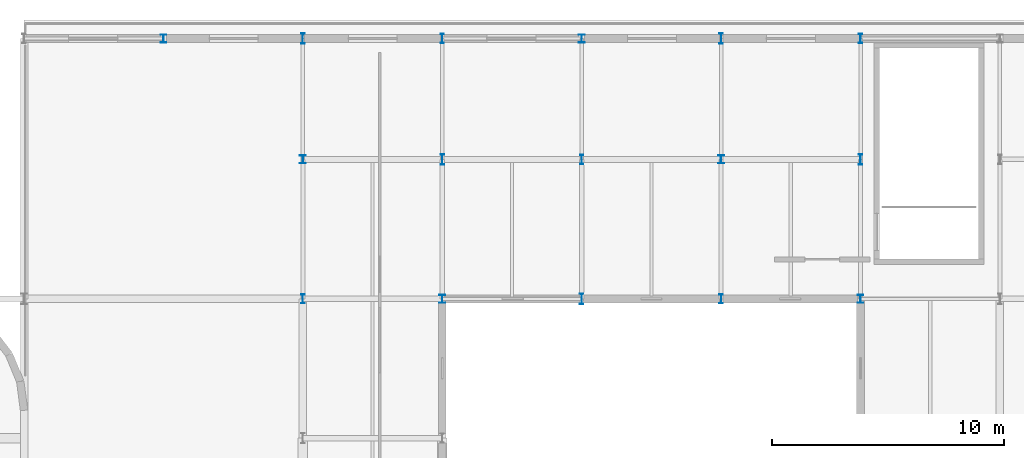
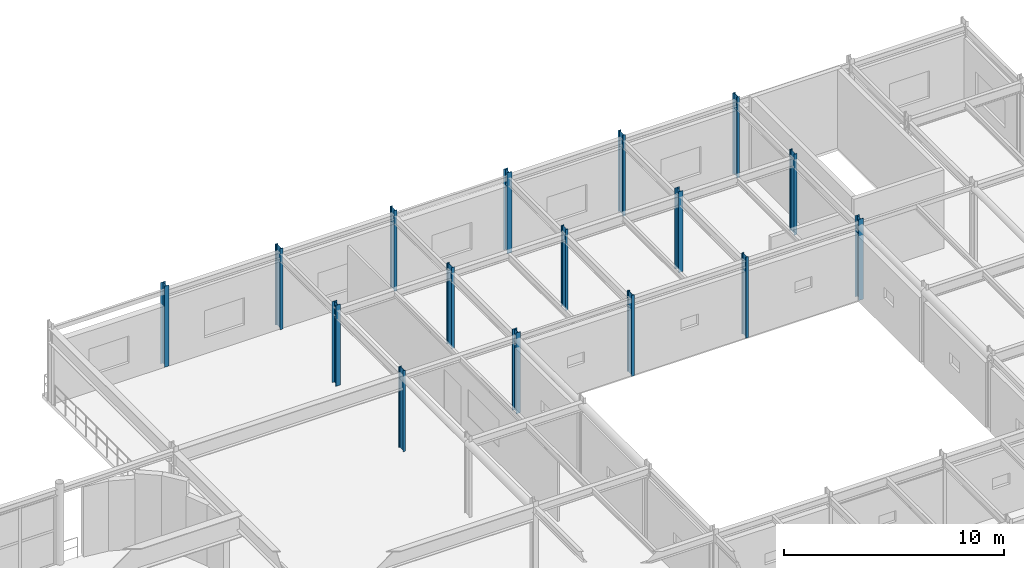
# One storey, part 17 of 84: 16 columns.
"""IFC4 building model written with IfcOpenShell, lengths in metres."""

from ifc_helpers import new_model, si_unit, direction, frame, origin, origin_2d, place, context, subcontext, project, spatial, i_section, extrude, material, material_profile, profile_set, type_object, element, save


model = new_model("IFC4")

# Units and contexts
model_context = context("Model", 3, precision=1e-05, world=origin(), true_north=direction((0.0, 1.0)))
body_context = subcontext(model_context, "Body", "Model", "MODEL_VIEW")
ifc_project = project(units=[si_unit("LENGTHUNIT", "METRE"), si_unit("AREAUNIT", "SQUARE_METRE"), si_unit("VOLUMEUNIT", "CUBIC_METRE"), si_unit("PLANEANGLEUNIT", "RADIAN"), si_unit("MASSUNIT", "GRAM", prefix="KILO")], contexts=[model_context])

# Site, building, storey
site_placement = place(None, origin())
site = spatial("IfcSite", under=ifc_project, at=site_placement, CompositionType="ELEMENT")
building_placement = place(site_placement, origin())
building = spatial("IfcBuilding", under=site, at=building_placement, Name="Varnakota Square Police Headquarters", CompositionType="ELEMENT")
storey_placement = place(building_placement, frame((0.0, 0.0, 13.5)))
storey = spatial("IfcBuildingStorey", under=building, at=storey_placement, Name="L03", CompositionType="ELEMENT", Elevation=13.5)

# Columns
ifc_material = material(Name="Steel IS 2062 Grade 350", Category="steel")
ifc_material_profile_1 = material_profile(ifc_material, i_section(OverallWidth=0.25, OverallDepth=0.35009765625, WebThickness=0.010009765625, FlangeThickness=0.01171875, FilletRadius=0.011962890625, at=origin_2d()), Name="ISHB 350")
ifc_profile_set_1 = profile_set([ifc_material_profile_1], Name="Steel IS 2062 Grade 350")
column_type_1 = type_object("IfcColumnType", Name="COL-ISHB350", PredefinedType="COLUMN", material=ifc_profile_set_1)
for number, where, z_axis, x_axis, name in (
    (1, (102.0, 110.199951171875, 0.0), (0.0, 0.0, 1.0), (1.0, 0.0, 0.0), "Column X1020-Y1102 L03"),
    (2, (108.0, 105.0, 0.0), (0.0, 0.0, 1.0), (1.0, 0.0, 0.0), "Column X1080-Y1050 L03"),
    (3, (114.0, 99.0, 0.0), (0.0, 0.0, 1.0), (1.0, 0.0, 0.0), "Column X1140-Y0990 L03"),
    (4, (120.0, 110.199951171875, 0.0), (0.0, 0.0, 1.0), (1.0, 0.0, 0.0), "Column X1200-Y1102 L03"),
    (5, (126.0, 105.0, 0.0), (0.0, 0.0, 1.0), (1.0, 0.0, 0.0), "Column X1260-Y1050 L03"),
    (6, (132.0, 99.0, 0.0), (0.0, 0.0, 1.0), (1.0, 0.0, 0.0), "Column X1320-Y0990 L03"),
):
    element("IfcColumn", number, at=place(storey_placement, frame(where, z_axis=z_axis, x_axis=x_axis)), inside=storey, type_object=column_type_1, Name=name, PredefinedType="COLUMN", context=body_context, shape_type="SweptSolid", body=[
        extrude(i_section(OverallWidth=0.25, OverallDepth=0.35009765625, WebThickness=0.010009765625, FlangeThickness=0.01171875, FilletRadius=0.011962890625, at=origin_2d()), origin(), (0.0, 0.0, 1.0), 4.5),
    ])
ifc_material_profile_2 = material_profile(ifc_material, i_section(OverallWidth=0.139892578125, OverallDepth=0.39990234375, WebThickness=0.0087890625, FlangeThickness=0.01611328125, FilletRadius=0.013916015625, at=origin_2d()), Name="ISMB 400")
ifc_profile_set_2 = profile_set([ifc_material_profile_2], Name="Steel IS 2062 Grade 350")
column_type_2 = type_object("IfcColumnType", Name="COL-ISMB400", PredefinedType="COLUMN", material=ifc_profile_set_2)
for number, where, z_axis, x_axis, name in (
    (7, (108.0, 99.0, 0.0), (0.0, 0.0, 1.0), (1.0, 0.0, 0.0), "Column X1080-Y0990 L03"),
    (8, (114.0, 110.199951171875, 0.0), (0.0, 0.0, 1.0), (1.0, 0.0, 0.0), "Column X1140-Y1102 L03"),
    (9, (120.0, 105.0, 0.0), (0.0, 0.0, 1.0), (1.0, 0.0, 0.0), "Column X1200-Y1050 L03"),
    (10, (126.0, 99.0, 0.0), (0.0, 0.0, 1.0), (1.0, 0.0, 0.0), "Column X1260-Y0990 L03"),
    (11, (132.0, 110.199951171875, 0.0), (0.0, 0.0, 1.0), (1.0, 0.0, 0.0), "Column X1320-Y1102 L03"),
):
    element("IfcColumn", number, at=place(storey_placement, frame(where, z_axis=z_axis, x_axis=x_axis)), inside=storey, type_object=column_type_2, Name=name, PredefinedType="COLUMN", context=body_context, shape_type="SweptSolid", body=[
        extrude(i_section(OverallWidth=0.139892578125, OverallDepth=0.39990234375, WebThickness=0.0087890625, FlangeThickness=0.01611328125, FilletRadius=0.013916015625, at=origin_2d()), origin(), (0.0, 0.0, 1.0), 4.5),
    ])
ifc_material_profile_3 = material_profile(ifc_material, i_section(OverallWidth=0.14990234375, OverallDepth=0.449951171875, WebThickness=0.009521484375, FlangeThickness=0.017333984375, FilletRadius=0.014892578125, at=origin_2d()), Name="ISMB 450")
ifc_profile_set_3 = profile_set([ifc_material_profile_3], Name="Steel IS 2062 Grade 350")
column_type_3 = type_object("IfcColumnType", Name="COL-ISMB450", PredefinedType="COLUMN", material=ifc_profile_set_3)
for number, where, z_axis, x_axis, name in (
    (12, (108.0, 110.199951171875, 0.0), (0.0, 0.0, 1.0), (1.0, 0.0, 0.0), "Column X1080-Y1102 L03"),
    (13, (114.0, 105.0, 0.0), (0.0, 0.0, 1.0), (1.0, 0.0, 0.0), "Column X1140-Y1050 L03"),
    (14, (120.0, 99.0, 0.0), (0.0, 0.0, 1.0), (1.0, 0.0, 0.0), "Column X1200-Y0990 L03"),
    (15, (126.0, 110.199951171875, 0.0), (0.0, 0.0, 1.0), (1.0, 0.0, 0.0), "Column X1260-Y1102 L03"),
    (16, (132.0, 105.0, 0.0), (0.0, 0.0, 1.0), (1.0, 0.0, 0.0), "Column X1320-Y1050 L03"),
):
    element("IfcColumn", number, at=place(storey_placement, frame(where, z_axis=z_axis, x_axis=x_axis)), inside=storey, type_object=column_type_3, Name=name, PredefinedType="COLUMN", context=body_context, shape_type="SweptSolid", body=[
        extrude(i_section(OverallWidth=0.14990234375, OverallDepth=0.449951171875, WebThickness=0.009521484375, FlangeThickness=0.017333984375, FilletRadius=0.014892578125, at=origin_2d()), origin(), (0.0, 0.0, 1.0), 4.5),
    ])

save(model, "model.ifc")
